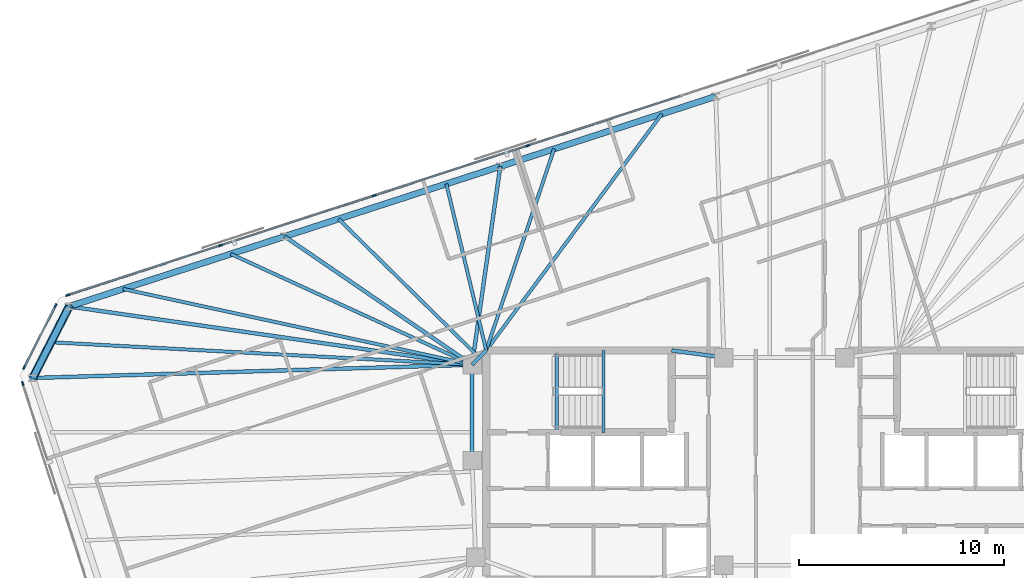
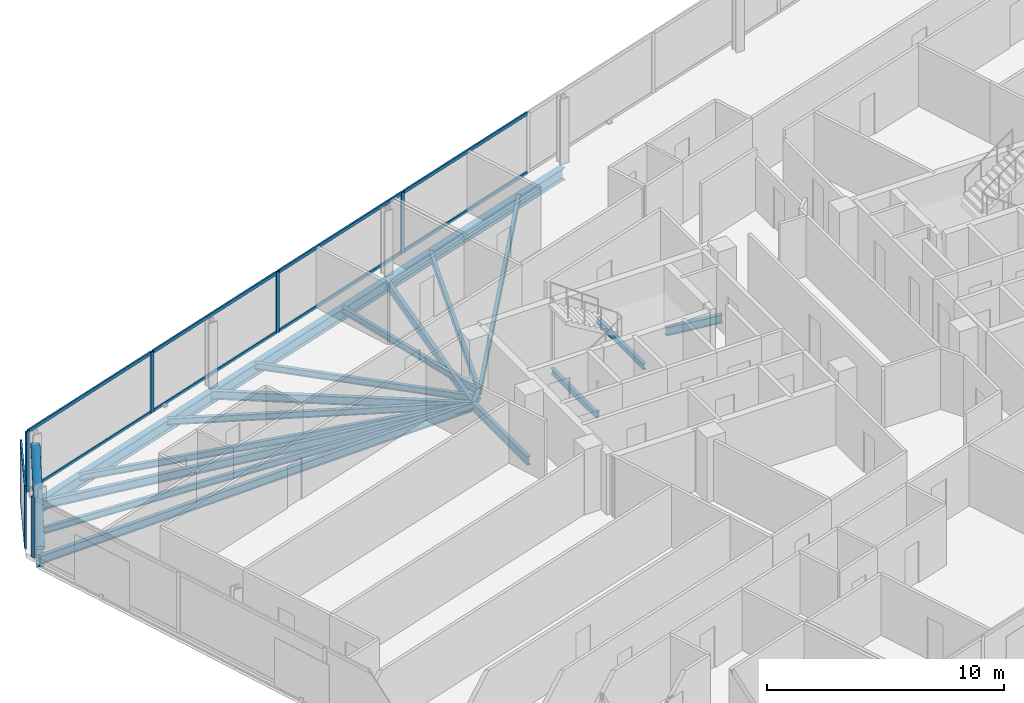
# One storey, part 9 of 19: 20 beams, 18 members, 3 elements without a shape of their own.
"""IFC4 building model written with IfcOpenShell, lengths in metres."""

from ifc_helpers import new_model, si_unit, direction, frame, origin, origin_2d, place, context, subcontext, project, spatial, rectangle, hollow_circle, i_section, extrude, material, material_profile, profile_set, type_object, element, aggregate, save


model = new_model("IFC4")

# Units and contexts
model_context = context("Model", 3, precision=1e-05, world=origin(), true_north=direction((0.0, 1.0)))
body_context = subcontext(model_context, "Body", "Model", "MODEL_VIEW")
ifc_project = project(units=[si_unit("LENGTHUNIT", "METRE"), si_unit("AREAUNIT", "SQUARE_METRE"), si_unit("VOLUMEUNIT", "CUBIC_METRE"), si_unit("PLANEANGLEUNIT", "RADIAN"), si_unit("MASSUNIT", "GRAM", prefix="KILO")], contexts=[model_context])

# Site, building, storey
site_placement = place(None, origin())
site = spatial("IfcSite", under=ifc_project, at=site_placement, CompositionType="ELEMENT")
building_placement = place(site_placement, origin())
building = spatial("IfcBuilding", under=site, at=building_placement, Name="Menara Jurai Vektor", CompositionType="ELEMENT")
storey_placement = place(building_placement, frame((0.0, 0.0, 241.050048828125)))
storey = spatial("IfcBuildingStorey", under=building, at=storey_placement, Name="L64", CompositionType="ELEMENT", Elevation=241.050048828125)

# Curtain wall, members
ifc_material_1 = material(Name="Anodised Pale Aluminium & Low-E Double Glazing", Category="aluminium")
curtain_wall_type = type_object("IfcCurtainWallType", Name="CW-BLK4", PredefinedType="NOTDEFINED", material=ifc_material_1)
curtain_wall_1_placement = place(storey_placement, origin())
curtain_wall_1 = element("IfcCurtainWall", 1, at=curtain_wall_1_placement, inside=storey, type_object=curtain_wall_type, Name="Unitised Curtain Wall L64 F05", PredefinedType="NOTDEFINED")
ifc_material_2 = material(Name="Anodised Pale Aluminium Mullion", Category="aluminium")
ifc_material_profile_1 = material_profile(ifc_material_2, rectangle(XDim=0.080078125, YDim=0.18994140625, at=origin_2d()), Name="ALU MUL 80x190")
ifc_profile_set_1 = profile_set([ifc_material_profile_1], Name="Anodised Pale Aluminium Mullion")
member_type_1 = type_object("IfcMemberType", Name="CW-BLK4-MUL", PredefinedType="MULLION", material=ifc_profile_set_1)
member_1_placement = place(storey_placement, frame((-12.532958984375, 15.601806640625, 0.0), z_axis=(0.0, 0.0, 1.0), x_axis=(0.309017344167, -0.951056402641, 0.0)))
member_1 = element("IfcMember", 2, at=member_1_placement, type_object=member_type_1, Name="CW-04 mullion 5", PredefinedType="MULLION", context=body_context, shape_type="SweptSolid", body=[
    extrude(rectangle(XDim=0.080078125, YDim=0.18994140625, at=origin_2d()), origin(), (0.0, 0.0, 1.0), 3.125),
])
member_2_placement = place(storey_placement, frame((-20.0380859375, 13.163330078125, 0.0), z_axis=(0.0, 0.0, 1.0), x_axis=(0.309017344167, -0.951056402641, 0.0)))
member_2 = element("IfcMember", 3, at=member_2_placement, type_object=member_type_1, Name="CW-04 mullion 6", PredefinedType="MULLION", context=body_context, shape_type="SweptSolid", body=[
    extrude(rectangle(XDim=0.080078125, YDim=0.18994140625, at=origin_2d()), origin(), (0.0, 0.0, 1.0), 3.125),
])
member_3_placement = place(storey_placement, frame((-27.543212890625, 10.724609375, 0.0), z_axis=(0.0, 0.0, 1.0), x_axis=(0.309017344167, -0.951056402641, 0.0)))
member_3 = element("IfcMember", 4, at=member_3_placement, type_object=member_type_1, Name="CW-04 mullion 7", PredefinedType="MULLION", context=body_context, shape_type="SweptSolid", body=[
    extrude(rectangle(XDim=0.080078125, YDim=0.18994140625, at=origin_2d()), origin(), (0.0, 0.0, 1.0), 3.125),
])
member_4_placement = place(storey_placement, frame((-35.010498046875, 8.29833984375, 0.0), z_axis=(0.0, 0.0, 1.0), x_axis=(0.309017344167, -0.951056402641, 0.0)))
member_4 = element("IfcMember", 5, at=member_4_placement, type_object=member_type_1, Name="CW-04 mullion 8", PredefinedType="MULLION", context=body_context, shape_type="SweptSolid", body=[
    extrude(rectangle(XDim=0.080078125, YDim=0.18994140625, at=origin_2d()), origin(), (0.0, 0.0, 1.0), 3.125),
])

curtain_wall_2_placement = place(storey_placement, origin())
curtain_wall_2 = element("IfcCurtainWall", 6, at=curtain_wall_2_placement, inside=storey, type_object=curtain_wall_type, Name="Unitised Curtain Wall L64 F06", PredefinedType="NOTDEFINED")
member_5_placement = place(storey_placement, frame((-35.6005859375, 7.79443359375, 0.0), z_axis=(0.0, 0.0, 1.0), x_axis=(0.89100750243, -0.453988579828, 0.0)))
member_5 = element("IfcMember", 7, at=member_5_placement, type_object=member_type_1, Name="CW-04 mullion 1", PredefinedType="MULLION", context=body_context, shape_type="SweptSolid", body=[
    extrude(rectangle(XDim=0.080078125, YDim=0.18994140625, at=origin_2d()), origin(), (0.0, 0.0, 1.0), 3.125),
])
member_6_placement = place(storey_placement, frame((-37.145263671875, 4.7626953125, 0.0), z_axis=(0.0, 0.0, 1.0), x_axis=(0.89100750243, -0.453988579828, 0.0)))
member_6 = element("IfcMember", 8, at=member_6_placement, type_object=member_type_1, Name="CW-04 mullion 2", PredefinedType="MULLION", context=body_context, shape_type="SweptSolid", body=[
    extrude(rectangle(XDim=0.080078125, YDim=0.18994140625, at=origin_2d()), origin(), (0.0, 0.0, 1.0), 3.125),
])

# Curtain wall, member
curtain_wall_3_placement = place(storey_placement, origin())
curtain_wall_3 = element("IfcCurtainWall", 9, at=curtain_wall_3_placement, inside=storey, type_object=curtain_wall_type, Name="Unitised Curtain Wall L64 F07", PredefinedType="NOTDEFINED")
member_7_placement = place(storey_placement, frame((-37.206298828125, 3.989013671875, 0.0), z_axis=(0.0, 0.0, 1.0), x_axis=(0.95105668295, 0.309016481464, 0.0)))
member_7 = element("IfcMember", 10, at=member_7_placement, type_object=member_type_1, Name="CW-04 mullion 1", PredefinedType="MULLION", context=body_context, shape_type="SweptSolid", body=[
    extrude(rectangle(XDim=0.080078125, YDim=0.18994140625, at=origin_2d()), origin(), (0.0, 0.0, 1.0), 3.125),
])
aggregate(curtain_wall_3, [member_7])

# Member
ifc_material_3 = material(Name="Anodised Pale Aluminium Transom", Category="aluminium")
ifc_material_profile_2 = material_profile(ifc_material_3, rectangle(XDim=0.080078125, YDim=0.1650390625, at=origin_2d()), Name="ALU TRN 80x165")
ifc_profile_set_2 = profile_set([ifc_material_profile_2], Name="Anodised Pale Aluminium Transom")
member_type_2 = type_object("IfcMemberType", Name="CW-BLK4-TRN", PredefinedType="USERDEFINED", material=ifc_profile_set_2)
member_8_placement = place(storey_placement, frame((-5.06591796875, 18.028076171875, 0.0400390625), z_axis=(-0.95105634578, -0.309017519167, 0.0), x_axis=(0.309017519167, -0.95105634578, 0.0)))
member_8 = element("IfcMember", 11, at=member_8_placement, type_object=member_type_2, Name="CW-04 transom 4.1", ObjectType="TRANSOM", PredefinedType="USERDEFINED", context=body_context, shape_type="SweptSolid", body=[
    extrude(rectangle(XDim=0.080078125, YDim=0.1650390625, at=origin_2d()), origin(), (0.0, 0.0, 1.0), 7.811279296875),
])

member_9_placement = place(storey_placement, frame((-5.06591796875, 18.028076171875, 3.0849609375), z_axis=(-0.95105634578, -0.309017519167, 0.0), x_axis=(0.309017519167, -0.95105634578, 0.0)))
member_9 = element("IfcMember", 12, at=member_9_placement, type_object=member_type_2, Name="CW-04 transom 4.2", ObjectType="TRANSOM", PredefinedType="USERDEFINED", context=body_context, shape_type="SweptSolid", body=[
    extrude(rectangle(XDim=0.080078125, YDim=0.1650390625, at=origin_2d()), origin(), (0.0, 0.0, 1.0), 7.811279296875),
])

member_10_placement = place(storey_placement, frame((-12.571044921875, 15.589599609375, 0.0400390625), z_axis=(-0.95104715984, -0.309045789099, 0.0), x_axis=(0.309045789099, -0.95104715984, 0.0)))
member_10 = element("IfcMember", 13, at=member_10_placement, type_object=member_type_2, Name="CW-04 transom 5.1", ObjectType="TRANSOM", PredefinedType="USERDEFINED", context=body_context, shape_type="SweptSolid", body=[
    extrude(rectangle(XDim=0.080078125, YDim=0.1650390625, at=origin_2d()), origin(), (0.0, 0.0, 1.0), 7.811279296875),
])

member_11_placement = place(storey_placement, frame((-12.571044921875, 15.589599609375, 3.0849609375), z_axis=(-0.95104715984, -0.309045789099, 0.0), x_axis=(0.309045789099, -0.95104715984, 0.0)))
member_11 = element("IfcMember", 14, at=member_11_placement, type_object=member_type_2, Name="CW-04 transom 5.2", ObjectType="TRANSOM", PredefinedType="USERDEFINED", context=body_context, shape_type="SweptSolid", body=[
    extrude(rectangle(XDim=0.080078125, YDim=0.1650390625, at=origin_2d()), origin(), (0.0, 0.0, 1.0), 7.811279296875),
])

member_12_placement = place(storey_placement, frame((-20.076171875, 13.15087890625, 0.0400390625), z_axis=(-0.951059330237, -0.309008333817, 0.0), x_axis=(0.309008333817, -0.951059330237, 0.0)))
member_12 = element("IfcMember", 15, at=member_12_placement, type_object=member_type_2, Name="CW-04 transom 6.1", ObjectType="TRANSOM", PredefinedType="USERDEFINED", context=body_context, shape_type="SweptSolid", body=[
    extrude(rectangle(XDim=0.080078125, YDim=0.1650390625, at=origin_2d()), origin(), (0.0, 0.0, 1.0), 7.8115234375),
])

member_13_placement = place(storey_placement, frame((-20.076171875, 13.15087890625, 3.0849609375), z_axis=(-0.951059330237, -0.309008333817, 0.0), x_axis=(0.309008333817, -0.951059330237, 0.0)))
member_13 = element("IfcMember", 16, at=member_13_placement, type_object=member_type_2, Name="CW-04 transom 6.2", ObjectType="TRANSOM", PredefinedType="USERDEFINED", context=body_context, shape_type="SweptSolid", body=[
    extrude(rectangle(XDim=0.080078125, YDim=0.1650390625, at=origin_2d()), origin(), (0.0, 0.0, 1.0), 7.8115234375),
])

member_14_placement = place(storey_placement, frame((-27.581298828125, 10.71240234375, 0.0400390625), z_axis=(-0.951052997543, -0.309027823771, 0.0), x_axis=(0.309027823771, -0.951052997543, 0.0)))
member_14 = element("IfcMember", 17, at=member_14_placement, type_object=member_type_2, Name="CW-04 transom 7.1", ObjectType="TRANSOM", PredefinedType="USERDEFINED", context=body_context, shape_type="SweptSolid", body=[
    extrude(rectangle(XDim=0.080078125, YDim=0.1650390625, at=origin_2d()), origin(), (0.0, 0.0, 1.0), 7.771484375),
])

member_15_placement = place(storey_placement, frame((-27.581298828125, 10.71240234375, 3.0849609375), z_axis=(-0.951052997543, -0.309027823771, 0.0), x_axis=(0.309027823771, -0.951052997543, 0.0)))
member_15 = element("IfcMember", 18, at=member_15_placement, type_object=member_type_2, Name="CW-04 transom 7.2", ObjectType="TRANSOM", PredefinedType="USERDEFINED", context=body_context, shape_type="SweptSolid", body=[
    extrude(rectangle(XDim=0.080078125, YDim=0.1650390625, at=origin_2d()), origin(), (0.0, 0.0, 1.0), 7.771484375),
])

aggregate(curtain_wall_1, [member_1, member_2, member_3, member_4, member_8, member_9, member_10, member_11, member_12, member_13, member_14, member_15])

member_16_placement = place(storey_placement, frame((-35.61865234375, 7.7587890625, 0.0400390625), z_axis=(-0.454019339544, -0.890991828986, 0.0), x_axis=(0.890991828986, -0.454019339544, 0.0)))
member_16 = element("IfcMember", 19, at=member_16_placement, type_object=member_type_2, Name="CW-04 transom 1.1", ObjectType="TRANSOM", PredefinedType="USERDEFINED", context=body_context, shape_type="SweptSolid", body=[
    extrude(rectangle(XDim=0.080078125, YDim=0.1650390625, at=origin_2d()), origin(), (0.0, 0.0, 1.0), 3.32275390625),
])

member_17_placement = place(storey_placement, frame((-35.61865234375, 7.7587890625, 3.0849609375), z_axis=(-0.454019339544, -0.890991828986, 0.0), x_axis=(0.890991828986, -0.454019339544, 0.0)))
member_17 = element("IfcMember", 20, at=member_17_placement, type_object=member_type_2, Name="CW-04 transom 1.2", ObjectType="TRANSOM", PredefinedType="USERDEFINED", context=body_context, shape_type="SweptSolid", body=[
    extrude(rectangle(XDim=0.080078125, YDim=0.1650390625, at=origin_2d()), origin(), (0.0, 0.0, 1.0), 3.32275390625),
])

aggregate(curtain_wall_2, [member_5, member_6, member_16, member_17])

# Beams
ifc_material_4 = material(Name="Steel S355", Category="steel")
ifc_material_profile_3 = material_profile(ifc_material_4, i_section(OverallWidth=0.18505859375, OverallDepth=0.429931640625, WebThickness=0.010986328125, FlangeThickness=0.01806640625, at=origin_2d()), Name="PG 430x185x76")
ifc_profile_set_3 = profile_set([ifc_material_profile_3], Name="Steel S355")
beam_type_1 = type_object("IfcBeamType", Name="STR-BM-430", PredefinedType="BEAM", material=ifc_profile_set_3)
beam_1_placement = place(storey_placement, frame((-15.25, 4.89990234375, -0.43994140625), z_axis=(0.701871936926, 0.712303154672, 0.0), x_axis=(-0.712303154672, 0.701871936926, 0.0)))
element("IfcBeam", 21, at=beam_1_placement, inside=storey, type_object=beam_type_1, Name="Core Ring Header Girder L64-CHW-N1", PredefinedType="BEAM", context=body_context, shape_type="SweptSolid", body=[
    extrude(i_section(OverallWidth=0.18505859375, OverallDepth=0.429931640625, WebThickness=0.010986328125, FlangeThickness=0.01806640625, at=origin_2d()), origin(), (0.0, 0.0, 1.0), 0.98291015625),
])
beam_2_placement = place(storey_placement, frame((-5.5, 5.60009765625, -0.43994140625), z_axis=(0.990706818608, -0.136014703483, 0.0), x_axis=(0.136014703483, 0.990706818608, 0.0)))
element("IfcBeam", 22, at=beam_2_placement, inside=storey, type_object=beam_type_1, Name="Core Ring Header Girder L64-CHW-N2", PredefinedType="BEAM", context=body_context, shape_type="SweptSolid", body=[
    extrude(i_section(OverallWidth=0.18505859375, OverallDepth=0.429931640625, WebThickness=0.010986328125, FlangeThickness=0.01806640625, at=origin_2d()), origin(), (0.0, 0.0, 1.0), 2.573974609375),
])
beam_3_placement = place(storey_placement, frame((-15.25, 0.219970703125, -0.43994140625), z_axis=(0.0, 1.0, 0.0), x_axis=(-1.0, 0.0, 0.0)))
element("IfcBeam", 23, at=beam_3_placement, inside=storey, type_object=beam_type_1, Name="Core Ring Header Girder L64-CHW-W1", PredefinedType="BEAM", context=body_context, shape_type="SweptSolid", body=[
    extrude(i_section(OverallWidth=0.18505859375, OverallDepth=0.429931640625, WebThickness=0.010986328125, FlangeThickness=0.01806640625, at=origin_2d()), origin(), (0.0, 0.0, 1.0), 4.679931640625),
])
beam_4_placement = place(storey_placement, frame((-13.875, 14.58740234375, -0.43994140625), z_axis=(-0.140527035582, -0.990076841599, 0.0), x_axis=(0.990076841599, -0.140527035582, 0.0)))
element("IfcBeam", 24, at=beam_4_placement, inside=storey, type_object=beam_type_1, Name="Radial Floor Girder L64-N4", PredefinedType="BEAM", context=body_context, shape_type="SweptSolid", body=[
    extrude(i_section(OverallWidth=0.18505859375, OverallDepth=0.429931640625, WebThickness=0.010986328125, FlangeThickness=0.01806640625, at=origin_2d()), origin(), (0.0, 0.0, 1.0), 9.78466796875),
])
beam_5_placement = place(storey_placement, frame((-24.404296875, 11.166259765625, -0.43994140625), z_axis=(0.825185786768, -0.564861414257, 0.0), x_axis=(0.564861414257, 0.825185786768, 0.0)))
element("IfcBeam", 25, at=beam_5_placement, inside=storey, type_object=beam_type_1, Name="Radial Floor Girder L64-N5", PredefinedType="BEAM", context=body_context, shape_type="SweptSolid", body=[
    extrude(i_section(OverallWidth=0.18505859375, OverallDepth=0.429931640625, WebThickness=0.010986328125, FlangeThickness=0.01806640625, at=origin_2d()), origin(), (0.0, 0.0, 1.0), 11.093505859375),
])
beam_6_placement = place(storey_placement, frame((-34.93359375, 7.7451171875, -0.43994140625), z_axis=(0.989713916117, -0.14306070126, 0.0), x_axis=(0.14306070126, 0.989713916117, 0.0)))
element("IfcBeam", 26, at=beam_6_placement, inside=storey, type_object=beam_type_1, Name="Radial Floor Girder L64-N6", PredefinedType="BEAM", context=body_context, shape_type="SweptSolid", body=[
    extrude(i_section(OverallWidth=0.18505859375, OverallDepth=0.429931640625, WebThickness=0.010986328125, FlangeThickness=0.01806640625, at=origin_2d()), origin(), (0.0, 0.0, 1.0), 19.88818359375),
])
beam_7_placement = place(storey_placement, frame((-36.71337890625, 4.251953125, -0.43994140625), z_axis=(0.999544635638, 0.030174846589, 0.0), x_axis=(-0.030174846589, 0.999544635638, 0.0)))
element("IfcBeam", 27, at=beam_7_placement, inside=storey, type_object=beam_type_1, Name="Radial Floor Girder L64-W1", PredefinedType="BEAM", context=body_context, shape_type="SweptSolid", body=[
    extrude(i_section(OverallWidth=0.18505859375, OverallDepth=0.429931640625, WebThickness=0.010986328125, FlangeThickness=0.01806640625, at=origin_2d()), origin(), (0.0, 0.0, 1.0), 21.47314453125),
])

# Member
ifc_material_5 = material(Name="Steel S460", Category="steel")
ifc_material_profile_4 = material_profile(ifc_material_5, hollow_circle(Radius=0.203125, WallThickness=0.01611328125, at=origin_2d()), Name="CHS 406.4x16")
ifc_profile_set_4 = profile_set([ifc_material_profile_4], Name="Steel S460")
member_type_3 = type_object("IfcMemberType", Name="STR-BR-406", PredefinedType="BRACE", material=ifc_profile_set_4)
member_18_placement = place(storey_placement, frame((-36.71337890625, 4.251953125, 0.14990234375), z_axis=(0.377225079071, 0.740375367811, 0.556368182465), x_axis=(-0.891013832566, 0.453976155955, 0.0)))
element("IfcMember", 28, at=member_18_placement, inside=storey, type_object=member_type_3, Name="Exoskeleton Corner Brace L64-3", PredefinedType="BRACE", context=body_context, shape_type="SweptSolid", body=[
    extrude(hollow_circle(Radius=0.203125, WallThickness=0.01611328125, at=origin_2d()), origin(), (0.0, 0.0, 1.0), 4.718017578125),
])

# Beams
ifc_material_profile_5 = material_profile(ifc_material_4, i_section(OverallWidth=0.1650390625, OverallDepth=0.330078125, WebThickness=0.009033203125, FlangeThickness=0.013916015625, at=origin_2d()), Name="PG 330x165x46")
ifc_profile_set_5 = profile_set([ifc_material_profile_5], Name="Steel S355")
beam_type_2 = type_object("IfcBeamType", Name="STR-JS-330", PredefinedType="JOIST", material=ifc_profile_set_5)
beam_8_placement = place(storey_placement, frame((-5.97802734375, 17.1533203125, -0.39013671875), z_axis=(-0.59630776033, -0.802755912448, 0.0), x_axis=(0.802755912448, -0.59630776033, 0.0)))
element("IfcBeam", 29, at=beam_8_placement, inside=storey, type_object=beam_type_2, Name="Radial Secondary Floor Joist L64-JS21", PredefinedType="JOIST", context=body_context, shape_type="SweptSolid", body=[
    extrude(i_section(OverallWidth=0.1650390625, OverallDepth=0.330078125, WebThickness=0.009033203125, FlangeThickness=0.013916015625, at=origin_2d()), origin(), (0.0, 0.0, 1.0), 14.391845703125),
])
beam_9_placement = place(storey_placement, frame((-11.24267578125, 15.44287109375, -0.39013671875), z_axis=(-0.319385076217, -0.94762501713, 0.0), x_axis=(0.94762501713, -0.319385076217, 0.0)))
element("IfcBeam", 30, at=beam_9_placement, inside=storey, type_object=beam_type_2, Name="Radial Secondary Floor Joist L64-JS22", PredefinedType="JOIST", context=body_context, shape_type="SweptSolid", body=[
    extrude(i_section(OverallWidth=0.1650390625, OverallDepth=0.330078125, WebThickness=0.009033203125, FlangeThickness=0.013916015625, at=origin_2d()), origin(), (0.0, 0.0, 1.0), 10.38671875),
])
beam_10_placement = place(storey_placement, frame((-16.50732421875, 13.732177734375, -0.39013671875), z_axis=(0.23287158907, -0.972507492518, 0.0), x_axis=(0.972507492518, 0.23287158907, 0.0)))
element("IfcBeam", 31, at=beam_10_placement, inside=storey, type_object=beam_type_2, Name="Radial Secondary Floor Joist L64-JS23", PredefinedType="JOIST", context=body_context, shape_type="SweptSolid", body=[
    extrude(i_section(OverallWidth=0.1650390625, OverallDepth=0.330078125, WebThickness=0.009033203125, FlangeThickness=0.013916015625, at=origin_2d()), origin(), (0.0, 0.0, 1.0), 8.362060546875),
])
beam_11_placement = place(storey_placement, frame((-21.77197265625, 12.021484375, -0.39013671875), z_axis=(0.7121893722, -0.701987391714, 0.0), x_axis=(0.701987391714, 0.7121893722, 0.0)))
element("IfcBeam", 32, at=beam_11_placement, inside=storey, type_object=beam_type_2, Name="Radial Secondary Floor Joist L64-JS24", PredefinedType="JOIST", context=body_context, shape_type="SweptSolid", body=[
    extrude(i_section(OverallWidth=0.1650390625, OverallDepth=0.330078125, WebThickness=0.009033203125, FlangeThickness=0.013916015625, at=origin_2d()), origin(), (0.0, 0.0, 1.0), 9.64404296875),
])
beam_12_placement = place(storey_placement, frame((-27.03662109375, 10.31103515625, -0.39013671875), z_axis=(0.908803804095, -0.417223735738, 0.0), x_axis=(0.417223735738, 0.908803804095, 0.0)))
element("IfcBeam", 33, at=beam_12_placement, inside=storey, type_object=beam_type_2, Name="Radial Secondary Floor Joist L64-JS25", PredefinedType="JOIST", context=body_context, shape_type="SweptSolid", body=[
    extrude(i_section(OverallWidth=0.1650390625, OverallDepth=0.330078125, WebThickness=0.009033203125, FlangeThickness=0.013916015625, at=origin_2d()), origin(), (0.0, 0.0, 1.0), 12.969482421875),
])
beam_13_placement = place(storey_placement, frame((-32.30126953125, 8.600341796875, -0.39013671875), z_axis=(0.977251946396, -0.212081666498, 0.0), x_axis=(0.212081666498, 0.977251946396, 0.0)))
element("IfcBeam", 34, at=beam_13_placement, inside=storey, type_object=beam_type_2, Name="Radial Secondary Floor Joist L64-JS26", PredefinedType="JOIST", context=body_context, shape_type="SweptSolid", body=[
    extrude(i_section(OverallWidth=0.1650390625, OverallDepth=0.330078125, WebThickness=0.009033203125, FlangeThickness=0.013916015625, at=origin_2d()), origin(), (0.0, 0.0, 1.0), 17.4482421875),
])
beam_14_placement = place(storey_placement, frame((-35.823486328125, 5.99853515625, -0.39013671875), z_axis=(0.998577239708, -0.053324444086, 0.0), x_axis=(0.053324444086, 0.998577239708, 0.0)))
element("IfcBeam", 35, at=beam_14_placement, inside=storey, type_object=beam_type_2, Name="Radial Secondary Floor Joist L64-JS27", PredefinedType="JOIST", context=body_context, shape_type="SweptSolid", body=[
    extrude(i_section(OverallWidth=0.1650390625, OverallDepth=0.330078125, WebThickness=0.009033203125, FlangeThickness=0.013916015625, at=origin_2d()), origin(), (0.0, 0.0, 1.0), 20.602783203125),
])
ifc_material_profile_6 = material_profile(ifc_material_4, i_section(OverallWidth=0.1650390625, OverallDepth=0.302978515625, WebThickness=0.006103515625, FlangeThickness=0.010009765625, FilletRadius=0.009033203125, at=origin_2d()), Name="UKB 305x165x40")
ifc_profile_set_6 = profile_set([ifc_material_profile_6], Name="Steel S355")
beam_type_3 = type_object("IfcBeamType", Name="STR-LN-305", PredefinedType="LINTEL", material=ifc_profile_set_6)
beam_15_placement = place(storey_placement, frame((-11.1201171875, 1.60009765625, -0.37646484375), z_axis=(0.0, 1.0, 0.0), x_axis=(-1.0, 0.0, 0.0)))
element("IfcBeam", 36, at=beam_15_placement, inside=storey, type_object=beam_type_3, Name="Stair Well Floor Trimmer ST1 L64", PredefinedType="LINTEL", context=body_context, shape_type="SweptSolid", body=[
    extrude(i_section(OverallWidth=0.1650390625, OverallDepth=0.302978515625, WebThickness=0.006103515625, FlangeThickness=0.010009765625, FilletRadius=0.009033203125, at=origin_2d()), origin(), (0.0, 0.0, 1.0), 3.81982421875),
])
beam_16_placement = place(storey_placement, frame((-8.830078125, 1.60009765625, 1.323486328125), z_axis=(0.0, 1.0, 0.0), x_axis=(-1.0, 0.0, 0.0)))
element("IfcBeam", 37, at=beam_16_placement, inside=storey, type_object=beam_type_3, Name="Stair Half-Landing Nosing Trimmer ST1-1 L64", PredefinedType="LINTEL", context=body_context, shape_type="SweptSolid", body=[
    extrude(i_section(OverallWidth=0.1650390625, OverallDepth=0.302978515625, WebThickness=0.006103515625, FlangeThickness=0.010009765625, FilletRadius=0.009033203125, at=origin_2d()), origin(), (0.0, 0.0, 1.0), 4.0),
])
ifc_material_profile_7 = material_profile(ifc_material_4, i_section(OverallWidth=0.306884765625, OverallDepth=0.6201171875, WebThickness=0.013916015625, FlangeThickness=0.02392578125, FilletRadius=0.01708984375, at=origin_2d()), Name="UKB 610x305x179")
ifc_profile_set_7 = profile_set([ifc_material_profile_7], Name="Steel S355")
beam_type_4 = type_object("IfcBeamType", Name="STR-SP-610", PredefinedType="SPANDREL", material=ifc_profile_set_7)
for number, where, z_axis, x_axis, name in (
    (38, (-3.345703125, 18.008544921875, -0.53515625), (-0.951057401967, -0.309014268544, 0.0), (0.309014268544, -0.951057401967, 0.0), "Exoskeleton Spandrel Beam L64-13"),
    (39, (-13.875, 14.58740234375, -0.53515625), (-0.951057401967, -0.309014268544, 0.0), (0.309014268544, -0.951057401967, 0.0), "Exoskeleton Spandrel Beam L64-14"),
    (40, (-24.404296875, 11.166259765625, -0.53515625), (-0.951057401967, -0.309014268544, 0.0), (0.309014268544, -0.951057401967, 0.0), "Exoskeleton Spandrel Beam L64-15"),
):
    element("IfcBeam", number, at=place(storey_placement, frame(where, z_axis=z_axis, x_axis=x_axis)), inside=storey, type_object=beam_type_4, Name=name, PredefinedType="SPANDREL", context=body_context, shape_type="SweptSolid", body=[
        extrude(i_section(OverallWidth=0.306884765625, OverallDepth=0.6201171875, WebThickness=0.013916015625, FlangeThickness=0.02392578125, FilletRadius=0.01708984375, at=origin_2d()), origin(), (0.0, 0.0, 1.0), 11.071044921875),
    ])
beam_17_placement = place(storey_placement, frame((-34.93359375, 7.7451171875, -0.53515625), z_axis=(-0.453976155955, -0.891013832566, 0.0), x_axis=(0.891013832566, -0.453976155955, 0.0)))
element("IfcBeam", 41, at=beam_17_placement, inside=storey, type_object=beam_type_4, Name="Exoskeleton Spandrel Beam L64-16", PredefinedType="SPANDREL", context=body_context, shape_type="SweptSolid", body=[
    extrude(i_section(OverallWidth=0.306884765625, OverallDepth=0.6201171875, WebThickness=0.013916015625, FlangeThickness=0.02392578125, FilletRadius=0.01708984375, at=origin_2d()), origin(), (0.0, 0.0, 1.0), 3.92041015625),
])

save(model, "model.ifc")
